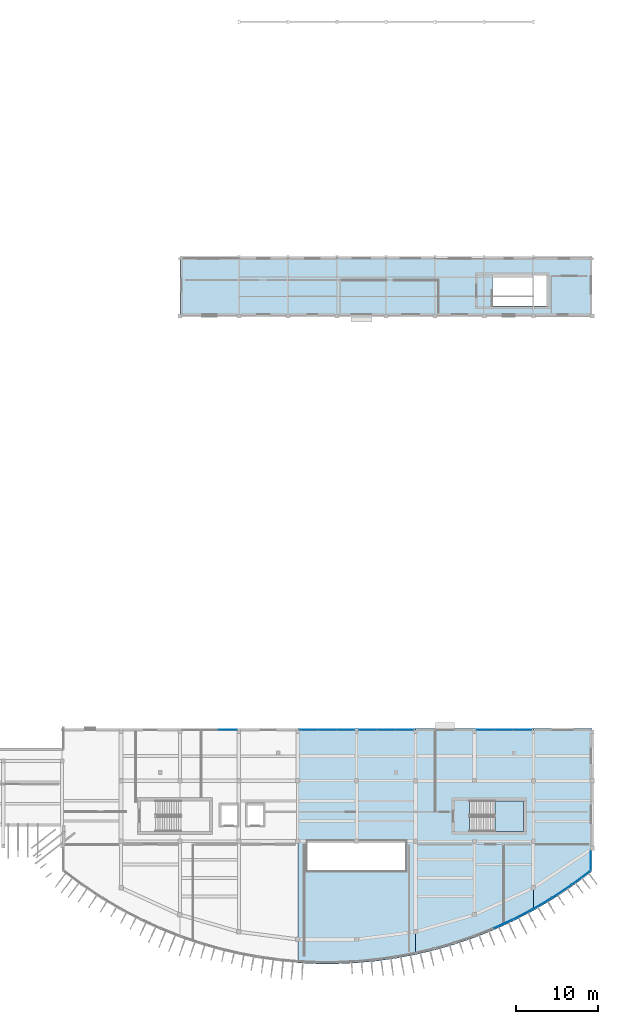
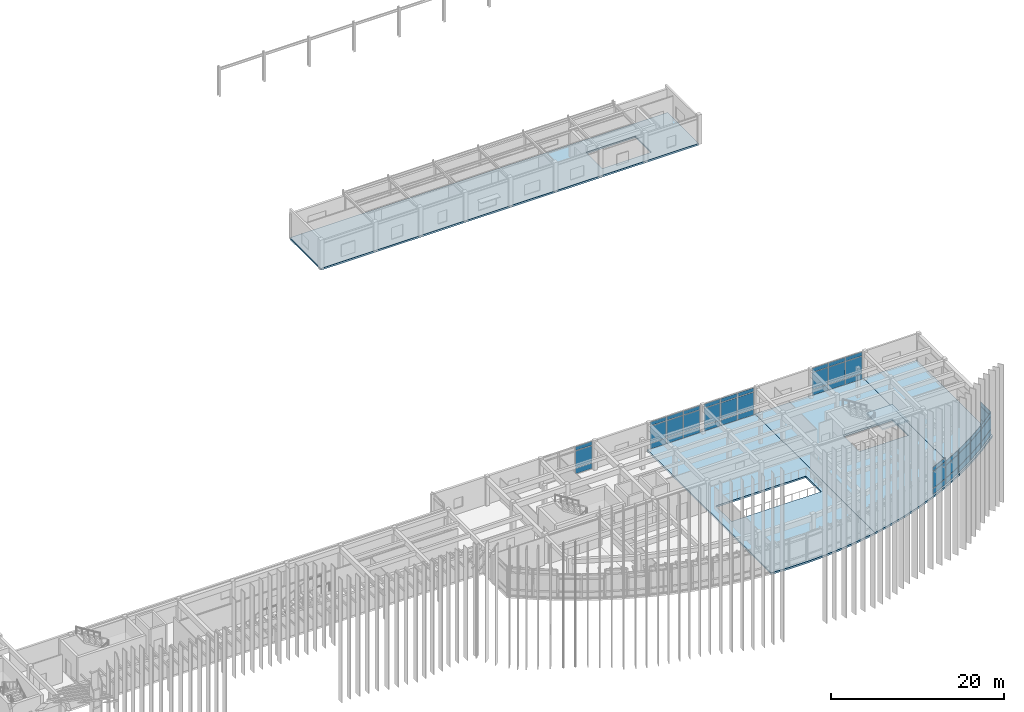
# One storey, part 28 of 47: 48 plates, 5 slabs, 11 elements without a shape of their own.
"""IFC4 building model written with IfcOpenShell, lengths in metres."""

import ifcopenshell
import ifcopenshell.guid

model = None  # the IFC model being written
_history = None  # IfcOwnerHistory: only IFC2X3 demands one
_inside = {}  # id of a spatial element -> (the spatial element, [elements in it])
_under = {}  # id of a project, library or spatial element -> (it, [spatial elements below it])
_declared = {}  # id of a project -> (the project, [libraries it declares])
_typed = {}  # id of a type object -> (the type object, [elements of that type])
_made_of = {}  # id of a material, layer set ... -> (it, [elements and type objects made of it])


def new_model(schema):
    """Start an empty IFC model of exactly this schema.

    Asked for "IFC4X3", IfcOpenShell would pick the latest addendum, in which some entities
    have other attributes; the version numbers below select the first issue.
    IFC2X3 requires an IfcOwnerHistory on every rooted entity: one is made here for all.
    """
    global model, _history
    if schema == "IFC4X3":
        model = ifcopenshell.file(schema_version=(4, 3, 0, 0))
    else:
        model = ifcopenshell.file(schema=schema)
    _inside.clear()
    _under.clear()
    _declared.clear()
    _typed.clear()
    _made_of.clear()
    _history = None
    if model.schema == "IFC2X3":
        org = make("IfcOrganization", Name="unknown")
        user = make(
            "IfcPersonAndOrganization",
            ThePerson=make("IfcPerson", FamilyName="unknown"),
            TheOrganization=org,
        )
        app = make(
            "IfcApplication",
            ApplicationDeveloper=org,
            Version="unknown",
            ApplicationFullName="unknown",
            ApplicationIdentifier="unknown",
        )
        _history = make(
            "IfcOwnerHistory",
            OwningUser=user,
            OwningApplication=app,
            ChangeAction="ADDED",
            CreationDate=0,
        )
    return model


def make(cls, **values):
    """One entity of the class cls with the attributes given. An attribute that is None is left unset."""
    return model.create_entity(
        cls, **{name: value for name, value in values.items() if value is not None}
    )


def rooted(cls, **values):
    """An entity with a GlobalId (a new one), such as an element, a storey or a relation."""
    return make(cls, GlobalId=ifcopenshell.guid.new(), OwnerHistory=_history, **values)


def si_unit(unit_type, name, prefix=None):
    """IfcSIUnit, for example si_unit("LENGTHUNIT", "METRE", prefix="MILLI")."""
    return make("IfcSIUnit", UnitType=unit_type, Prefix=prefix, Name=name)


def assignment(units):
    """IfcUnitAssignment: the units of a project."""
    return None if units is None else make("IfcUnitAssignment", Units=units)


def point(xyz):
    """IfcCartesianPoint."""
    return None if xyz is None else make("IfcCartesianPoint", Coordinates=xyz)


def direction(xyz):
    """IfcDirection."""
    return None if xyz is None else make("IfcDirection", DirectionRatios=xyz)


def frame(location, z_axis=None, x_axis=None):
    """IfcAxis2Placement3D, a coordinate frame: its origin and axes. An axis left out is left unset."""
    return make(
        "IfcAxis2Placement3D",
        Location=point(location),
        Axis=direction(z_axis),
        RefDirection=direction(x_axis),
    )


def frame_2d(location, x_axis=None):
    """IfcAxis2Placement2D, a coordinate frame in the plane: its origin and x axis."""
    return make(
        "IfcAxis2Placement2D", Location=point(location), RefDirection=direction(x_axis)
    )


def origin():
    """The frame at (0, 0, 0) with its axes left unset."""
    return frame((0.0, 0.0, 0.0))


def origin_2d():
    """The frame at (0, 0) in the plane with its x axis left unset."""
    return frame_2d((0.0, 0.0))


def place(relative_to, where):
    """IfcLocalPlacement: puts the frame where relative to a parent placement (None: the world)."""
    return make(
        "IfcLocalPlacement", PlacementRelTo=relative_to, RelativePlacement=where
    )


def context(
    kind, dimensions, precision=None, world=None, true_north=None, identifier=None
):
    """IfcGeometricRepresentationContext, for example the 3D "Model" context."""
    return make(
        "IfcGeometricRepresentationContext",
        ContextIdentifier=identifier,
        ContextType=kind,
        CoordinateSpaceDimension=dimensions,
        Precision=precision,
        WorldCoordinateSystem=world,
        TrueNorth=true_north,
    )


def subcontext(parent, identifier, kind, view, scale=None):
    """IfcGeometricRepresentationSubContext, for example "Body" below "Model"."""
    return make(
        "IfcGeometricRepresentationSubContext",
        ContextIdentifier=identifier,
        ContextType=kind,
        ParentContext=parent,
        TargetScale=scale,
        TargetView=view,
    )


def project(units=None, contexts=None):
    """IfcProject with its units and contexts."""
    return rooted(
        "IfcProject",
        Name="project",
        RepresentationContexts=contexts,
        UnitsInContext=assignment(units),
    )


def spatial(cls, under=None, at=None, **own):
    """A site, building, storey or space (cls), placed at a placement, below another one or the project."""
    s = rooted(cls, ObjectPlacement=at, **own)
    if under is not None:
        _under.setdefault(under.id(), (under, []))[1].append(s)
    return s


def polyline(points):
    """IfcPolyline through the points."""
    return make("IfcPolyline", Points=[point(p) for p in points])


def profile(cls, at=None, kind="AREA", **sizes):
    """A parametric profile (cls). Its sizes go by their IFC names, for example OverallWidth=200.0."""
    return make(cls, ProfileType=kind, Position=at, **sizes)


def rectangle(**sizes):
    """IfcRectangleProfileDef."""
    return profile("IfcRectangleProfileDef", **sizes)


def outline(outer, holes=None, kind="AREA"):
    """IfcArbitraryClosedProfileDef: a profile drawn as a closed curve; with holes, ...WithVoids."""
    if holes is None:
        return make("IfcArbitraryClosedProfileDef", ProfileType=kind, OuterCurve=outer)
    return make(
        "IfcArbitraryProfileDefWithVoids",
        ProfileType=kind,
        OuterCurve=outer,
        InnerCurves=holes,
    )


def extrude(swept, where, along, depth):
    """IfcExtrudedAreaSolid: the profile swept, set in the frame where, extruded along a direction by depth."""
    return make(
        "IfcExtrudedAreaSolid",
        SweptArea=swept,
        Position=where,
        ExtrudedDirection=direction(along),
        Depth=depth,
    )


def shape(context_of_items, identifier, shape_type, items):
    """IfcShapeRepresentation: the items that make up one representation, for example the "Body"."""
    return make(
        "IfcShapeRepresentation",
        ContextOfItems=context_of_items,
        RepresentationIdentifier=identifier,
        RepresentationType=shape_type,
        Items=items,
    )


def material(Name=None, Category=None):
    """IfcMaterial."""
    return make("IfcMaterial", Name=Name, Category=Category)


def layer(
    of_material, thickness, ventilated=None, Name=None, Category=None, Priority=None
):
    """IfcMaterialLayer: one layer of a wall or slab, of a material (None: an air gap)."""
    return make(
        "IfcMaterialLayer",
        Material=of_material,
        LayerThickness=thickness,
        IsVentilated=ventilated,
        Name=Name,
        Category=Category,
        Priority=Priority,
    )


def layer_set(layers, Name=None):
    """IfcMaterialLayerSet."""
    return make("IfcMaterialLayerSet", MaterialLayers=layers, LayerSetName=Name)


def made_of(thing, what):
    """Note that an element or type object is made of a material, layer set ...; save() writes the relation."""
    if what is not None:
        _made_of.setdefault(what.id(), (what, []))[1].append(thing)
    return thing


def type_object(cls, material=None, **own):
    """A type object (cls), such as IfcWallType, which elements share."""
    return made_of(rooted(cls, **own), material)


def element(
    cls,
    number,
    at=None,
    inside=None,
    cuts=None,
    type_object=None,
    material=None,
    context=None,
    identifier="Body",
    shape_type=None,
    held_by="IfcProductDefinitionShape",
    body=None,
    shapes=None,
    **own,
):
    """One element of the class cls, such as IfcWall. Its Tag is "e" and its number.

    at: its placement. inside: the storey or other place that contains it. cuts: it is an
    opening in that element (IfcRelVoidsElement). A single representation is given by context,
    identifier, shape_type and body (its items); several are given by shapes. held_by: the class
    of the entity that holds the representations. save() writes the other relations.
    """
    e = rooted(cls, Tag="e%d" % number, ObjectPlacement=at, **own)
    if body is not None:
        shapes = [shape(context, identifier, shape_type, body)]
    if shapes is not None:
        e.Representation = make(held_by, Representations=shapes)
    if inside is not None:
        _inside.setdefault(inside.id(), (inside, []))[1].append(e)
    if cuts is not None:
        rooted(
            "IfcRelVoidsElement", RelatingBuildingElement=cuts, RelatedOpeningElement=e
        )
    if type_object is not None:
        _typed.setdefault(type_object.id(), (type_object, []))[1].append(e)
    return made_of(e, material)


def aggregate(whole, parts):
    """IfcRelAggregates: a whole, such as a stair, and the parts it consists of."""
    return rooted("IfcRelAggregates", RelatingObject=whole, RelatedObjects=parts)


def save(model, path):
    """Write the relations noted so far, then the file.

    IfcRelAggregates (storeys below a building ...), IfcRelContainedInSpatialStructure (elements
    in a storey), IfcRelDefinesByType, IfcRelAssociatesMaterial and IfcRelDeclares: one each for
    every whole, place, type object, material and project.
    """
    for whole, parts in _under.values():
        aggregate(whole, parts)
    for where, things in _inside.values():
        rooted(
            "IfcRelContainedInSpatialStructure",
            RelatedElements=things,
            RelatingStructure=where,
        )
    for kind, things in _typed.values():
        rooted("IfcRelDefinesByType", RelatedObjects=things, RelatingType=kind)
    for what, things in _made_of.values():
        rooted("IfcRelAssociatesMaterial", RelatedObjects=things, RelatingMaterial=what)
    for by, libraries in _declared.values():
        rooted("IfcRelDeclares", RelatingContext=by, RelatedDefinitions=libraries)
    model.write(path)


model = new_model("IFC4")

# Units and contexts
model_context = context("Model", 3, precision=1e-05, world=origin(), true_north=direction((0.0, 1.0)))
body_context = subcontext(model_context, "Body", "Model", "MODEL_VIEW")
ifc_project = project(units=[si_unit("LENGTHUNIT", "METRE"), si_unit("AREAUNIT", "SQUARE_METRE"), si_unit("VOLUMEUNIT", "CUBIC_METRE"), si_unit("PLANEANGLEUNIT", "RADIAN"), si_unit("MASSUNIT", "GRAM", prefix="KILO")], contexts=[model_context])

# Site, building, storey
site_placement = place(None, origin())
site = spatial("IfcSite", under=ifc_project, at=site_placement, CompositionType="ELEMENT")
building_placement = place(site_placement, origin())
building = spatial("IfcBuilding", under=site, at=building_placement, Name="Brisavento Harbour Community Centre", CompositionType="ELEMENT")
storey_placement = place(building_placement, frame((0.0, 0.0, 8.699951171875)))
storey = spatial("IfcBuildingStorey", under=building, at=storey_placement, Name="L02", CompositionType="ELEMENT", Elevation=8.699951171875)

# Curtain wall, plates
ifc_material_1 = material(Name="Marine-anodised aluminium AW-6063-T6", Category="aluminium")
ifc_layer_1 = layer(ifc_material_1, 0.179931640625, Name="Marine-anodised aluminium AW-6063-T6")
ifc_layer_set_1 = layer_set([ifc_layer_1], Name="Marine-anodised aluminium AW-6063-T6")
curtain_wall_type_1 = type_object("IfcCurtainWallType", Name="CW-SYS-01", PredefinedType="USERDEFINED", material=ifc_layer_set_1)
curtain_wall_1_placement = place(storey_placement, origin())
curtain_wall_1 = element("IfcCurtainWall", 1, at=curtain_wall_1_placement, inside=storey, type_object=curtain_wall_type_1, Name="L02 V3 unitised curtain wall 141", ObjectType="UNITISED CURTAIN WALL", PredefinedType="USERDEFINED")
ifc_material_2 = material(Name="Solar-control laminated low-E glass", Category="glass")
ifc_layer_2 = layer(ifc_material_2, 0.02392578125, Name="Solar-control laminated low-E glass")
ifc_layer_set_2 = layer_set([ifc_layer_2], Name="Solar-control laminated low-E glass")
plate_type_1 = type_object("IfcPlateType", Name="CWP-GLZ-1", PredefinedType="CURTAIN_PANEL", material=ifc_layer_set_2)
plate_1_placement = place(storey_placement, frame((164.31689453125, 6.04931640625, 0.06494140625), z_axis=(0.0, 0.0, 1.0), x_axis=(-0.887026600781, -0.461718322689, 0.0)))
plate_1 = element("IfcPlate", 2, at=plate_1_placement, type_object=plate_type_1, Name="CW-01 panel 1.1", PredefinedType="CURTAIN_PANEL", context=body_context, shape_type="SweptSolid", body=[
    extrude(rectangle(XDim=2.53955078125, YDim=0.02392578125, at=origin_2d()), origin(), (0.0, 0.0, 1.0), 0.802490234375),
])
plate_2_placement = place(storey_placement, frame((164.31689453125, 6.04931640625, 0.932373046875), z_axis=(0.0, 0.0, 1.0), x_axis=(-0.887026600781, -0.461718322689, 0.0)))
plate_2 = element("IfcPlate", 3, at=plate_2_placement, type_object=plate_type_1, Name="CW-01 panel 1.2", PredefinedType="CURTAIN_PANEL", context=body_context, shape_type="SweptSolid", body=[
    extrude(rectangle(XDim=2.53955078125, YDim=0.02392578125, at=origin_2d()), origin(), (0.0, 0.0, 1.0), 1.7451171875),
])
plate_3_placement = place(storey_placement, frame((164.31689453125, 6.04931640625, 2.74267578125), z_axis=(0.0, 0.0, 1.0), x_axis=(-0.887026600781, -0.461718322689, 0.0)))
plate_3 = element("IfcPlate", 4, at=plate_3_placement, type_object=plate_type_1, Name="CW-01 panel 1.3", PredefinedType="CURTAIN_PANEL", context=body_context, shape_type="SweptSolid", body=[
    extrude(rectangle(XDim=2.53955078125, YDim=0.02392578125, at=origin_2d()), origin(), (0.0, 0.0, 1.0), 0.552490234375),
])
aggregate(curtain_wall_1, [plate_1, plate_2, plate_3])

ifc_layer_3 = layer(ifc_material_1, 0.179931640625, Name="Marine-anodised aluminium AW-6063-T6")
ifc_layer_set_3 = layer_set([ifc_layer_3], Name="Marine-anodised aluminium AW-6063-T6")
curtain_wall_type_2 = type_object("IfcCurtainWallType", Name="CW-SYS-06", PredefinedType="USERDEFINED", material=ifc_layer_set_3)
curtain_wall_2_placement = place(storey_placement, origin())
curtain_wall_2 = element("IfcCurtainWall", 5, at=curtain_wall_2_placement, inside=storey, type_object=curtain_wall_type_2, Name="L02 V3 unitised curtain wall 146", ObjectType="UNITISED CURTAIN WALL", PredefinedType="USERDEFINED")
plate_4_placement = place(storey_placement, frame((128.242431640625, 28.6201171875, 0.070068359375), z_axis=(0.0, 0.0, 1.0), x_axis=(1.0, 0.0, 0.0)))
plate_4 = element("IfcPlate", 6, at=plate_4_placement, type_object=plate_type_1, Name="CW-06 panel 3.1", PredefinedType="CURTAIN_PANEL", context=body_context, shape_type="SweptSolid", body=[
    extrude(rectangle(XDim=2.155029296875, YDim=0.02392578125, at=origin_2d()), origin(), (0.0, 0.0, 1.0), 0.794921875),
])
plate_5_placement = place(storey_placement, frame((128.242431640625, 28.6201171875, 0.93505859375), z_axis=(0.0, 0.0, 1.0), x_axis=(1.0, 0.0, 0.0)))
plate_5 = element("IfcPlate", 7, at=plate_5_placement, type_object=plate_type_1, Name="CW-06 panel 3.2", PredefinedType="CURTAIN_PANEL", context=body_context, shape_type="SweptSolid", body=[
    extrude(rectangle(XDim=2.155029296875, YDim=0.02392578125, at=origin_2d()), origin(), (0.0, 0.0, 1.0), 2.340087890625),
])
plate_6_placement = place(storey_placement, frame((128.242431640625, 28.6201171875, 3.344970703125), z_axis=(0.0, 0.0, 1.0), x_axis=(1.0, 0.0, 0.0)))
plate_6 = element("IfcPlate", 8, at=plate_6_placement, type_object=plate_type_1, Name="CW-06 panel 3.3", PredefinedType="CURTAIN_PANEL", context=body_context, shape_type="SweptSolid", body=[
    extrude(rectangle(XDim=2.155029296875, YDim=0.02392578125, at=origin_2d()), origin(), (0.0, 0.0, 1.0), 0.544921875),
])
aggregate(curtain_wall_2, [plate_4, plate_5, plate_6])

ifc_layer_4 = layer(ifc_material_1, 0.179931640625, Name="Marine-anodised aluminium AW-6063-T6")
ifc_layer_set_4 = layer_set([ifc_layer_4], Name="Marine-anodised aluminium AW-6063-T6")
curtain_wall_type_3 = type_object("IfcCurtainWallType", Name="CW-SYS-02", PredefinedType="USERDEFINED", material=ifc_layer_set_4)
curtain_wall_3_placement = place(storey_placement, origin())
curtain_wall_3 = element("IfcCurtainWall", 9, at=curtain_wall_3_placement, inside=storey, type_object=curtain_wall_type_3, Name="L02 V3 unitised curtain wall 142", ObjectType="UNITISED CURTAIN WALL", PredefinedType="USERDEFINED")
ifc_layer_5 = layer(ifc_material_2, 0.028076171875, Name="Solar-control laminated low-E glass")
ifc_layer_set_5 = layer_set([ifc_layer_5], Name="Solar-control laminated low-E glass")
plate_type_2 = type_object("IfcPlateType", Name="CWP-GLZ-2", PredefinedType="CURTAIN_PANEL", material=ifc_layer_set_5)
plate_7_placement = place(storey_placement, frame((166.70849609375, 7.376708984375, 0.070068359375), z_axis=(0.0, 0.0, 1.0), x_axis=(-0.861429947925, -0.50787640703, 0.0)))
plate_7 = element("IfcPlate", 10, at=plate_7_placement, type_object=plate_type_2, Name="CW-02 panel 1.1", PredefinedType="CURTAIN_PANEL", context=body_context, shape_type="SweptSolid", body=[
    extrude(rectangle(XDim=2.610107421875, YDim=0.028076171875, at=origin_2d()), origin(), (0.0, 0.0, 1.0), 0.794921875),
])
plate_8_placement = place(storey_placement, frame((166.70849609375, 7.376708984375, 0.93505859375), z_axis=(0.0, 0.0, 1.0), x_axis=(-0.861429947925, -0.50787640703, 0.0)))
plate_8 = element("IfcPlate", 11, at=plate_8_placement, type_object=plate_type_2, Name="CW-02 panel 1.2", PredefinedType="CURTAIN_PANEL", context=body_context, shape_type="SweptSolid", body=[
    extrude(rectangle(XDim=2.610107421875, YDim=0.028076171875, at=origin_2d()), origin(), (0.0, 0.0, 1.0), 1.739990234375),
])
plate_9_placement = place(storey_placement, frame((166.70849609375, 7.376708984375, 2.7451171875), z_axis=(0.0, 0.0, 1.0), x_axis=(-0.861429947925, -0.50787640703, 0.0)))
plate_9 = element("IfcPlate", 12, at=plate_9_placement, type_object=plate_type_2, Name="CW-02 panel 1.3", PredefinedType="CURTAIN_PANEL", context=body_context, shape_type="SweptSolid", body=[
    extrude(rectangle(XDim=2.610107421875, YDim=0.028076171875, at=origin_2d()), origin(), (0.0, 0.0, 1.0), 0.544921875),
])
aggregate(curtain_wall_3, [plate_7, plate_8, plate_9])

ifc_layer_6 = layer(ifc_material_1, 0.179931640625, Name="Marine-anodised aluminium AW-6063-T6")
ifc_layer_set_6 = layer_set([ifc_layer_6], Name="Marine-anodised aluminium AW-6063-T6")
curtain_wall_type_4 = type_object("IfcCurtainWallType", Name="CW-SYS-07", PredefinedType="USERDEFINED", material=ifc_layer_set_6)
curtain_wall_4_placement = place(storey_placement, origin())
curtain_wall_4 = element("IfcCurtainWall", 13, at=curtain_wall_4_placement, inside=storey, type_object=curtain_wall_type_4, Name="L02 V3 unitised curtain wall 147", ObjectType="UNITISED CURTAIN WALL", PredefinedType="USERDEFINED")
plate_10_placement = place(storey_placement, frame((138.15869140625, 28.6201171875, 0.074951171875), z_axis=(0.0, 0.0, 1.0), x_axis=(1.0, 0.0, 0.0)))
plate_10 = element("IfcPlate", 14, at=plate_10_placement, type_object=plate_type_2, Name="CW-07 panel 1.1", PredefinedType="CURTAIN_PANEL", context=body_context, shape_type="SweptSolid", body=[
    extrude(rectangle(XDim=2.1474609375, YDim=0.028076171875, at=origin_2d()), origin(), (0.0, 0.0, 1.0), 0.78759765625),
])
plate_11_placement = place(storey_placement, frame((138.15869140625, 28.6201171875, 0.9375), z_axis=(0.0, 0.0, 1.0), x_axis=(1.0, 0.0, 0.0)))
plate_11 = element("IfcPlate", 15, at=plate_11_placement, type_object=plate_type_2, Name="CW-07 panel 1.2", PredefinedType="CURTAIN_PANEL", context=body_context, shape_type="SweptSolid", body=[
    extrude(rectangle(XDim=2.1474609375, YDim=0.028076171875, at=origin_2d()), origin(), (0.0, 0.0, 1.0), 2.3349609375),
])
plate_12_placement = place(storey_placement, frame((138.15869140625, 28.6201171875, 3.347412109375), z_axis=(0.0, 0.0, 1.0), x_axis=(1.0, 0.0, 0.0)))
plate_12 = element("IfcPlate", 16, at=plate_12_placement, type_object=plate_type_2, Name="CW-07 panel 1.3", PredefinedType="CURTAIN_PANEL", context=body_context, shape_type="SweptSolid", body=[
    extrude(rectangle(XDim=2.1474609375, YDim=0.028076171875, at=origin_2d()), origin(), (0.0, 0.0, 1.0), 0.53759765625),
])
plate_13_placement = place(storey_placement, frame((140.39990234375, 28.6201171875, 0.074951171875), z_axis=(0.0, 0.0, 1.0), x_axis=(1.0, 0.0, 0.0)))
plate_13 = element("IfcPlate", 17, at=plate_13_placement, type_object=plate_type_2, Name="CW-07 panel 2.1", PredefinedType="CURTAIN_PANEL", context=body_context, shape_type="SweptSolid", body=[
    extrude(rectangle(XDim=2.18505859375, YDim=0.028076171875, at=origin_2d()), origin(), (0.0, 0.0, 1.0), 0.78759765625),
])
plate_14_placement = place(storey_placement, frame((140.39990234375, 28.6201171875, 0.9375), z_axis=(0.0, 0.0, 1.0), x_axis=(1.0, 0.0, 0.0)))
plate_14 = element("IfcPlate", 18, at=plate_14_placement, type_object=plate_type_2, Name="CW-07 panel 2.2", PredefinedType="CURTAIN_PANEL", context=body_context, shape_type="SweptSolid", body=[
    extrude(rectangle(XDim=2.18505859375, YDim=0.028076171875, at=origin_2d()), origin(), (0.0, 0.0, 1.0), 2.3349609375),
])
plate_15_placement = place(storey_placement, frame((140.39990234375, 28.6201171875, 3.347412109375), z_axis=(0.0, 0.0, 1.0), x_axis=(1.0, 0.0, 0.0)))
plate_15 = element("IfcPlate", 19, at=plate_15_placement, type_object=plate_type_2, Name="CW-07 panel 2.3", PredefinedType="CURTAIN_PANEL", context=body_context, shape_type="SweptSolid", body=[
    extrude(rectangle(XDim=2.18505859375, YDim=0.028076171875, at=origin_2d()), origin(), (0.0, 0.0, 1.0), 0.53759765625),
])
plate_16_placement = place(storey_placement, frame((142.641357421875, 28.6201171875, 0.074951171875), z_axis=(0.0, 0.0, 1.0), x_axis=(1.0, 0.0, 0.0)))
plate_16 = element("IfcPlate", 20, at=plate_16_placement, type_object=plate_type_2, Name="CW-07 panel 3.1", PredefinedType="CURTAIN_PANEL", context=body_context, shape_type="SweptSolid", body=[
    extrude(rectangle(XDim=2.1474609375, YDim=0.028076171875, at=origin_2d()), origin(), (0.0, 0.0, 1.0), 0.78759765625),
])
plate_17_placement = place(storey_placement, frame((142.641357421875, 28.6201171875, 0.9375), z_axis=(0.0, 0.0, 1.0), x_axis=(1.0, 0.0, 0.0)))
plate_17 = element("IfcPlate", 21, at=plate_17_placement, type_object=plate_type_2, Name="CW-07 panel 3.2", PredefinedType="CURTAIN_PANEL", context=body_context, shape_type="SweptSolid", body=[
    extrude(rectangle(XDim=2.1474609375, YDim=0.028076171875, at=origin_2d()), origin(), (0.0, 0.0, 1.0), 2.3349609375),
])
plate_18_placement = place(storey_placement, frame((142.641357421875, 28.6201171875, 3.347412109375), z_axis=(0.0, 0.0, 1.0), x_axis=(1.0, 0.0, 0.0)))
plate_18 = element("IfcPlate", 22, at=plate_18_placement, type_object=plate_type_2, Name="CW-07 panel 3.3", PredefinedType="CURTAIN_PANEL", context=body_context, shape_type="SweptSolid", body=[
    extrude(rectangle(XDim=2.1474609375, YDim=0.028076171875, at=origin_2d()), origin(), (0.0, 0.0, 1.0), 0.53759765625),
])
aggregate(curtain_wall_4, [plate_10, plate_11, plate_12, plate_13, plate_14, plate_15, plate_16, plate_17, plate_18])

ifc_layer_7 = layer(ifc_material_1, 0.179931640625, Name="Marine-anodised aluminium AW-6063-T6")
ifc_layer_set_7 = layer_set([ifc_layer_7], Name="Marine-anodised aluminium AW-6063-T6")
curtain_wall_type_5 = type_object("IfcCurtainWallType", Name="CW-SYS-03", PredefinedType="USERDEFINED", material=ifc_layer_set_7)
curtain_wall_5_placement = place(storey_placement, origin())
curtain_wall_5 = element("IfcCurtainWall", 23, at=curtain_wall_5_placement, inside=storey, type_object=curtain_wall_type_5, Name="L02 V3 unitised curtain wall 143", ObjectType="UNITISED CURTAIN WALL", PredefinedType="USERDEFINED")
ifc_layer_8 = layer(ifc_material_2, 0.031982421875, Name="Solar-control laminated low-E glass")
ifc_layer_set_8 = layer_set([ifc_layer_8], Name="Solar-control laminated low-E glass")
plate_type_3 = type_object("IfcPlateType", Name="CWP-GLZ-3", PredefinedType="CURTAIN_PANEL", material=ifc_layer_set_8)
plate_19_placement = place(storey_placement, frame((169.100341796875, 8.877685546875, 0.074951171875), z_axis=(0.0, 0.0, 1.0), x_axis=(-0.832471558705, -0.554067779199, 0.0)))
plate_19 = element("IfcPlate", 24, at=plate_19_placement, type_object=plate_type_3, Name="CW-03 panel 1.1", PredefinedType="CURTAIN_PANEL", context=body_context, shape_type="SweptSolid", body=[
    extrude(rectangle(XDim=2.697021484375, YDim=0.031982421875, at=origin_2d()), origin(), (0.0, 0.0, 1.0), 0.78759765625),
])
plate_20_placement = place(storey_placement, frame((169.100341796875, 8.877685546875, 0.9375), z_axis=(0.0, 0.0, 1.0), x_axis=(-0.832471558705, -0.554067779199, 0.0)))
plate_20 = element("IfcPlate", 25, at=plate_20_placement, type_object=plate_type_3, Name="CW-03 panel 1.2", PredefinedType="CURTAIN_PANEL", context=body_context, shape_type="SweptSolid", body=[
    extrude(rectangle(XDim=2.697021484375, YDim=0.031982421875, at=origin_2d()), origin(), (0.0, 0.0, 1.0), 1.735107421875),
])
plate_21_placement = place(storey_placement, frame((169.100341796875, 8.877685546875, 2.74755859375), z_axis=(0.0, 0.0, 1.0), x_axis=(-0.832471558705, -0.554067779199, 0.0)))
plate_21 = element("IfcPlate", 26, at=plate_21_placement, type_object=plate_type_3, Name="CW-03 panel 1.3", PredefinedType="CURTAIN_PANEL", context=body_context, shape_type="SweptSolid", body=[
    extrude(rectangle(XDim=2.697021484375, YDim=0.031982421875, at=origin_2d()), origin(), (0.0, 0.0, 1.0), 0.53759765625),
])
aggregate(curtain_wall_5, [plate_19, plate_20, plate_21])

ifc_layer_9 = layer(ifc_material_1, 0.179931640625, Name="Marine-anodised aluminium AW-6063-T6")
ifc_layer_set_9 = layer_set([ifc_layer_9], Name="Marine-anodised aluminium AW-6063-T6")
curtain_wall_type_6 = type_object("IfcCurtainWallType", Name="CW-SYS-08", PredefinedType="USERDEFINED", material=ifc_layer_set_9)
curtain_wall_6_placement = place(storey_placement, origin())
curtain_wall_6 = element("IfcCurtainWall", 27, at=curtain_wall_6_placement, inside=storey, type_object=curtain_wall_type_6, Name="L02 V3 unitised curtain wall 148", ObjectType="UNITISED CURTAIN WALL", PredefinedType="USERDEFINED")
plate_22_placement = place(storey_placement, frame((145.360107421875, 28.6201171875, 0.080078125), z_axis=(0.0, 0.0, 1.0), x_axis=(1.0, 0.0, 0.0)))
plate_22 = element("IfcPlate", 28, at=plate_22_placement, type_object=plate_type_3, Name="CW-08 panel 1.1", PredefinedType="CURTAIN_PANEL", context=body_context, shape_type="SweptSolid", body=[
    extrude(rectangle(XDim=2.139892578125, YDim=0.031982421875, at=origin_2d()), origin(), (0.0, 0.0, 1.0), 0.780029296875),
])
plate_23_placement = place(storey_placement, frame((145.360107421875, 28.6201171875, 0.93994140625), z_axis=(0.0, 0.0, 1.0), x_axis=(1.0, 0.0, 0.0)))
plate_23 = element("IfcPlate", 29, at=plate_23_placement, type_object=plate_type_3, Name="CW-08 panel 1.2", PredefinedType="CURTAIN_PANEL", context=body_context, shape_type="SweptSolid", body=[
    extrude(rectangle(XDim=2.139892578125, YDim=0.031982421875, at=origin_2d()), origin(), (0.0, 0.0, 1.0), 2.330078125),
])
plate_24_placement = place(storey_placement, frame((145.360107421875, 28.6201171875, 3.35009765625), z_axis=(0.0, 0.0, 1.0), x_axis=(1.0, 0.0, 0.0)))
plate_24 = element("IfcPlate", 30, at=plate_24_placement, type_object=plate_type_3, Name="CW-08 panel 1.3", PredefinedType="CURTAIN_PANEL", context=body_context, shape_type="SweptSolid", body=[
    extrude(rectangle(XDim=2.139892578125, YDim=0.031982421875, at=origin_2d()), origin(), (0.0, 0.0, 1.0), 0.530029296875),
])
plate_25_placement = place(storey_placement, frame((147.60009765625, 28.6201171875, 0.080078125), z_axis=(0.0, 0.0, 1.0), x_axis=(1.0, 0.0, 0.0)))
plate_25 = element("IfcPlate", 31, at=plate_25_placement, type_object=plate_type_3, Name="CW-08 panel 2.1", PredefinedType="CURTAIN_PANEL", context=body_context, shape_type="SweptSolid", body=[
    extrude(rectangle(XDim=2.179931640625, YDim=0.031982421875, at=origin_2d()), origin(), (0.0, 0.0, 1.0), 0.780029296875),
])
plate_26_placement = place(storey_placement, frame((147.60009765625, 28.6201171875, 0.93994140625), z_axis=(0.0, 0.0, 1.0), x_axis=(1.0, 0.0, 0.0)))
plate_26 = element("IfcPlate", 32, at=plate_26_placement, type_object=plate_type_3, Name="CW-08 panel 2.2", PredefinedType="CURTAIN_PANEL", context=body_context, shape_type="SweptSolid", body=[
    extrude(rectangle(XDim=2.179931640625, YDim=0.031982421875, at=origin_2d()), origin(), (0.0, 0.0, 1.0), 2.330078125),
])
plate_27_placement = place(storey_placement, frame((147.60009765625, 28.6201171875, 3.35009765625), z_axis=(0.0, 0.0, 1.0), x_axis=(1.0, 0.0, 0.0)))
plate_27 = element("IfcPlate", 33, at=plate_27_placement, type_object=plate_type_3, Name="CW-08 panel 2.3", PredefinedType="CURTAIN_PANEL", context=body_context, shape_type="SweptSolid", body=[
    extrude(rectangle(XDim=2.179931640625, YDim=0.031982421875, at=origin_2d()), origin(), (0.0, 0.0, 1.0), 0.530029296875),
])
plate_28_placement = place(storey_placement, frame((149.840087890625, 28.6201171875, 0.080078125), z_axis=(0.0, 0.0, 1.0), x_axis=(1.0, 0.0, 0.0)))
plate_28 = element("IfcPlate", 34, at=plate_28_placement, type_object=plate_type_3, Name="CW-08 panel 3.1", PredefinedType="CURTAIN_PANEL", context=body_context, shape_type="SweptSolid", body=[
    extrude(rectangle(XDim=2.139892578125, YDim=0.031982421875, at=origin_2d()), origin(), (0.0, 0.0, 1.0), 0.780029296875),
])
plate_29_placement = place(storey_placement, frame((149.840087890625, 28.6201171875, 0.93994140625), z_axis=(0.0, 0.0, 1.0), x_axis=(1.0, 0.0, 0.0)))
plate_29 = element("IfcPlate", 35, at=plate_29_placement, type_object=plate_type_3, Name="CW-08 panel 3.2", PredefinedType="CURTAIN_PANEL", context=body_context, shape_type="SweptSolid", body=[
    extrude(rectangle(XDim=2.139892578125, YDim=0.031982421875, at=origin_2d()), origin(), (0.0, 0.0, 1.0), 2.330078125),
])
plate_30_placement = place(storey_placement, frame((149.840087890625, 28.6201171875, 3.35009765625), z_axis=(0.0, 0.0, 1.0), x_axis=(1.0, 0.0, 0.0)))
plate_30 = element("IfcPlate", 36, at=plate_30_placement, type_object=plate_type_3, Name="CW-08 panel 3.3", PredefinedType="CURTAIN_PANEL", context=body_context, shape_type="SweptSolid", body=[
    extrude(rectangle(XDim=2.139892578125, YDim=0.031982421875, at=origin_2d()), origin(), (0.0, 0.0, 1.0), 0.530029296875),
])
aggregate(curtain_wall_6, [plate_22, plate_23, plate_24, plate_25, plate_26, plate_27, plate_28, plate_29, plate_30])

ifc_layer_10 = layer(ifc_material_1, 0.179931640625, Name="Marine-anodised aluminium AW-6063-T6")
ifc_layer_set_10 = layer_set([ifc_layer_10], Name="Marine-anodised aluminium AW-6063-T6")
curtain_wall_type_7 = type_object("IfcCurtainWallType", Name="CW-SYS-04", PredefinedType="USERDEFINED", material=ifc_layer_set_10)
curtain_wall_7_placement = place(storey_placement, origin())
curtain_wall_7 = element("IfcCurtainWall", 37, at=curtain_wall_7_placement, inside=storey, type_object=curtain_wall_type_7, Name="L02 V3 unitised curtain wall 144", ObjectType="UNITISED CURTAIN WALL", PredefinedType="USERDEFINED")
ifc_layer_11 = layer(ifc_material_2, 0.035888671875, Name="Solar-control laminated low-E glass")
ifc_layer_set_11 = layer_set([ifc_layer_11], Name="Solar-control laminated low-E glass")
plate_type_4 = type_object("IfcPlateType", Name="CWP-GLZ-4", PredefinedType="CURTAIN_PANEL", material=ifc_layer_set_11)
plate_31_placement = place(storey_placement, frame((171.491943359375, 10.571044921875, 0.080078125), z_axis=(0.0, 0.0, 1.0), x_axis=(-0.79980567328, -0.600259014917, 0.0)))
plate_31 = element("IfcPlate", 38, at=plate_31_placement, type_object=plate_type_4, Name="CW-04 panel 1.1", PredefinedType="CURTAIN_PANEL", context=body_context, shape_type="SweptSolid", body=[
    extrude(rectangle(XDim=2.8046875, YDim=0.035888671875, at=origin_2d()), origin(), (0.0, 0.0, 1.0), 0.780029296875),
])
plate_32_placement = place(storey_placement, frame((171.491943359375, 10.571044921875, 0.93994140625), z_axis=(0.0, 0.0, 1.0), x_axis=(-0.79980567328, -0.600259014917, 0.0)))
plate_32 = element("IfcPlate", 39, at=plate_32_placement, type_object=plate_type_4, Name="CW-04 panel 1.2", PredefinedType="CURTAIN_PANEL", context=body_context, shape_type="SweptSolid", body=[
    extrude(rectangle(XDim=2.8046875, YDim=0.035888671875, at=origin_2d()), origin(), (0.0, 0.0, 1.0), 1.72998046875),
])
plate_33_placement = place(storey_placement, frame((171.491943359375, 10.571044921875, 2.75), z_axis=(0.0, 0.0, 1.0), x_axis=(-0.79980567328, -0.600259014917, 0.0)))
plate_33 = element("IfcPlate", 40, at=plate_33_placement, type_object=plate_type_4, Name="CW-04 panel 1.3", PredefinedType="CURTAIN_PANEL", context=body_context, shape_type="SweptSolid", body=[
    extrude(rectangle(XDim=2.8046875, YDim=0.035888671875, at=origin_2d()), origin(), (0.0, 0.0, 1.0), 0.530029296875),
])
aggregate(curtain_wall_7, [plate_31, plate_32, plate_33])

ifc_layer_12 = layer(ifc_material_1, 0.179931640625, Name="Marine-anodised aluminium AW-6063-T6")
ifc_layer_set_12 = layer_set([ifc_layer_12], Name="Marine-anodised aluminium AW-6063-T6")
curtain_wall_type_8 = type_object("IfcCurtainWallType", Name="CW-SYS-09", PredefinedType="USERDEFINED", material=ifc_layer_set_12)
curtain_wall_8_placement = place(storey_placement, origin())
curtain_wall_8 = element("IfcCurtainWall", 41, at=curtain_wall_8_placement, inside=storey, type_object=curtain_wall_type_8, Name="L02 V3 unitised curtain wall 149", ObjectType="UNITISED CURTAIN WALL", PredefinedType="USERDEFINED")
plate_34_placement = place(storey_placement, frame((159.75634765625, 28.6201171875, 0.06494140625), z_axis=(0.0, 0.0, 1.0), x_axis=(1.0, 0.0, 0.0)))
plate_34 = element("IfcPlate", 42, at=plate_34_placement, type_object=plate_type_4, Name="CW-09 panel 1.1", PredefinedType="CURTAIN_PANEL", context=body_context, shape_type="SweptSolid", body=[
    extrude(rectangle(XDim=2.16259765625, YDim=0.035888671875, at=origin_2d()), origin(), (0.0, 0.0, 1.0), 0.802490234375),
])
plate_35_placement = place(storey_placement, frame((159.75634765625, 28.6201171875, 0.9326171875), z_axis=(0.0, 0.0, 1.0), x_axis=(1.0, 0.0, 0.0)))
plate_35 = element("IfcPlate", 43, at=plate_35_placement, type_object=plate_type_4, Name="CW-09 panel 1.2", PredefinedType="CURTAIN_PANEL", context=body_context, shape_type="SweptSolid", body=[
    extrude(rectangle(XDim=2.16259765625, YDim=0.035888671875, at=origin_2d()), origin(), (0.0, 0.0, 1.0), 2.344970703125),
])
plate_36_placement = place(storey_placement, frame((159.75634765625, 28.6201171875, 3.3427734375), z_axis=(0.0, 0.0, 1.0), x_axis=(1.0, 0.0, 0.0)))
plate_36 = element("IfcPlate", 44, at=plate_36_placement, type_object=plate_type_4, Name="CW-09 panel 1.3", PredefinedType="CURTAIN_PANEL", context=body_context, shape_type="SweptSolid", body=[
    extrude(rectangle(XDim=2.16259765625, YDim=0.035888671875, at=origin_2d()), origin(), (0.0, 0.0, 1.0), 0.552490234375),
])
plate_37_placement = place(storey_placement, frame((162.0, 28.6201171875, 0.06494140625), z_axis=(0.0, 0.0, 1.0), x_axis=(1.0, 0.0, 0.0)))
plate_37 = element("IfcPlate", 45, at=plate_37_placement, type_object=plate_type_4, Name="CW-09 panel 2.1", PredefinedType="CURTAIN_PANEL", context=body_context, shape_type="SweptSolid", body=[
    extrude(rectangle(XDim=2.195068359375, YDim=0.035888671875, at=origin_2d()), origin(), (0.0, 0.0, 1.0), 0.802490234375),
])
plate_38_placement = place(storey_placement, frame((162.0, 28.6201171875, 0.9326171875), z_axis=(0.0, 0.0, 1.0), x_axis=(1.0, 0.0, 0.0)))
plate_38 = element("IfcPlate", 46, at=plate_38_placement, type_object=plate_type_4, Name="CW-09 panel 2.2", PredefinedType="CURTAIN_PANEL", context=body_context, shape_type="SweptSolid", body=[
    extrude(rectangle(XDim=2.195068359375, YDim=0.035888671875, at=origin_2d()), origin(), (0.0, 0.0, 1.0), 2.344970703125),
])
plate_39_placement = place(storey_placement, frame((162.0, 28.6201171875, 3.3427734375), z_axis=(0.0, 0.0, 1.0), x_axis=(1.0, 0.0, 0.0)))
plate_39 = element("IfcPlate", 47, at=plate_39_placement, type_object=plate_type_4, Name="CW-09 panel 2.3", PredefinedType="CURTAIN_PANEL", context=body_context, shape_type="SweptSolid", body=[
    extrude(rectangle(XDim=2.195068359375, YDim=0.035888671875, at=origin_2d()), origin(), (0.0, 0.0, 1.0), 0.552490234375),
])
plate_40_placement = place(storey_placement, frame((164.24365234375, 28.6201171875, 0.06494140625), z_axis=(0.0, 0.0, 1.0), x_axis=(1.0, 0.0, 0.0)))
plate_40 = element("IfcPlate", 48, at=plate_40_placement, type_object=plate_type_4, Name="CW-09 panel 3.1", PredefinedType="CURTAIN_PANEL", context=body_context, shape_type="SweptSolid", body=[
    extrude(rectangle(XDim=2.16259765625, YDim=0.035888671875, at=origin_2d()), origin(), (0.0, 0.0, 1.0), 0.802490234375),
])
plate_41_placement = place(storey_placement, frame((164.24365234375, 28.6201171875, 0.9326171875), z_axis=(0.0, 0.0, 1.0), x_axis=(1.0, 0.0, 0.0)))
plate_41 = element("IfcPlate", 49, at=plate_41_placement, type_object=plate_type_4, Name="CW-09 panel 3.2", PredefinedType="CURTAIN_PANEL", context=body_context, shape_type="SweptSolid", body=[
    extrude(rectangle(XDim=2.16259765625, YDim=0.035888671875, at=origin_2d()), origin(), (0.0, 0.0, 1.0), 2.344970703125),
])
plate_42_placement = place(storey_placement, frame((164.24365234375, 28.6201171875, 3.3427734375), z_axis=(0.0, 0.0, 1.0), x_axis=(1.0, 0.0, 0.0)))
plate_42 = element("IfcPlate", 50, at=plate_42_placement, type_object=plate_type_4, Name="CW-09 panel 3.3", PredefinedType="CURTAIN_PANEL", context=body_context, shape_type="SweptSolid", body=[
    extrude(rectangle(XDim=2.16259765625, YDim=0.035888671875, at=origin_2d()), origin(), (0.0, 0.0, 1.0), 0.552490234375),
])
aggregate(curtain_wall_8, [plate_34, plate_35, plate_36, plate_37, plate_38, plate_39, plate_40, plate_41, plate_42])

ifc_layer_13 = layer(ifc_material_1, 0.179931640625, Name="Marine-anodised aluminium AW-6063-T6")
ifc_layer_set_13 = layer_set([ifc_layer_13], Name="Marine-anodised aluminium AW-6063-T6")
curtain_wall_type_9 = type_object("IfcCurtainWallType", Name="CW-SYS-28", PredefinedType="USERDEFINED", material=ifc_layer_set_13)
curtain_wall_9_placement = place(storey_placement, origin())
curtain_wall_9 = element("IfcCurtainWall", 51, at=curtain_wall_9_placement, inside=storey, type_object=curtain_wall_type_9, Name="L02 V3 unitised curtain wall 140", ObjectType="UNITISED CURTAIN WALL", PredefinedType="USERDEFINED")
ifc_layer_14 = layer(ifc_material_2, 0.0400390625, Name="Solar-control laminated low-E glass")
ifc_layer_set_14 = layer_set([ifc_layer_14], Name="Solar-control laminated low-E glass")
plate_type_5 = type_object("IfcPlateType", Name="CWP-GLZ-5", PredefinedType="CURTAIN_PANEL", material=ifc_layer_set_14)
plate_43_placement = place(storey_placement, frame((161.92529296875, 4.880615234375, 0.080078125), z_axis=(0.0, 0.0, 1.0), x_axis=(-0.909597727846, -0.415490040189, 0.0)))
plate_43 = element("IfcPlate", 52, at=plate_43_placement, type_object=plate_type_5, Name="CW-28 panel 1.1", PredefinedType="CURTAIN_PANEL", context=body_context, shape_type="SweptSolid", body=[
    extrude(rectangle(XDim=2.4423828125, YDim=0.0400390625, at=origin_2d()), origin(), (0.0, 0.0, 1.0), 0.780029296875),
])
plate_44_placement = place(storey_placement, frame((161.92529296875, 4.880615234375, 0.93994140625), z_axis=(0.0, 0.0, 1.0), x_axis=(-0.909597727846, -0.415490040189, 0.0)))
plate_44 = element("IfcPlate", 53, at=plate_44_placement, type_object=plate_type_5, Name="CW-28 panel 1.2", PredefinedType="CURTAIN_PANEL", context=body_context, shape_type="SweptSolid", body=[
    extrude(rectangle(XDim=2.4423828125, YDim=0.0400390625, at=origin_2d()), origin(), (0.0, 0.0, 1.0), 2.330078125),
])
plate_45_placement = place(storey_placement, frame((161.92529296875, 4.880615234375, 3.35009765625), z_axis=(0.0, 0.0, 1.0), x_axis=(-0.909597727846, -0.415490040189, 0.0)))
plate_45 = element("IfcPlate", 54, at=plate_45_placement, type_object=plate_type_5, Name="CW-28 panel 1.3", PredefinedType="CURTAIN_PANEL", context=body_context, shape_type="SweptSolid", body=[
    extrude(rectangle(XDim=2.4423828125, YDim=0.0400390625, at=origin_2d()), origin(), (0.0, 0.0, 1.0), 0.530029296875),
])
aggregate(curtain_wall_9, [plate_43, plate_44, plate_45])

ifc_layer_15 = layer(ifc_material_1, 0.179931640625, Name="Marine-anodised aluminium AW-6063-T6")
ifc_layer_set_15 = layer_set([ifc_layer_15], Name="Marine-anodised aluminium AW-6063-T6")
curtain_wall_type_10 = type_object("IfcCurtainWallType", Name="CW-SYS-05", PredefinedType="USERDEFINED", material=ifc_layer_set_15)
curtain_wall_10_placement = place(storey_placement, origin())
curtain_wall_10 = element("IfcCurtainWall", 55, at=curtain_wall_10_placement, inside=storey, type_object=curtain_wall_type_10, Name="L02 V3 unitised curtain wall 145", ObjectType="UNITISED CURTAIN WALL", PredefinedType="USERDEFINED")
plate_46_placement = place(storey_placement, frame((172.6201171875, 12.60693359375, 0.06494140625), z_axis=(0.0, 0.0, 1.0), x_axis=(0.0, -1.0, 0.0)))
plate_46 = element("IfcPlate", 56, at=plate_46_placement, type_object=plate_type_5, Name="CW-05 panel 1.1", PredefinedType="CURTAIN_PANEL", context=body_context, shape_type="SweptSolid", body=[
    extrude(rectangle(XDim=2.392333984375, YDim=0.0400390625, at=origin_2d()), origin(), (0.0, 0.0, 1.0), 0.802490234375),
])
plate_47_placement = place(storey_placement, frame((172.6201171875, 12.60693359375, 0.932373046875), z_axis=(0.0, 0.0, 1.0), x_axis=(0.0, -1.0, 0.0)))
plate_47 = element("IfcPlate", 57, at=plate_47_placement, type_object=plate_type_5, Name="CW-05 panel 1.2", PredefinedType="CURTAIN_PANEL", context=body_context, shape_type="SweptSolid", body=[
    extrude(rectangle(XDim=2.392333984375, YDim=0.0400390625, at=origin_2d()), origin(), (0.0, 0.0, 1.0), 1.7451171875),
])
plate_48_placement = place(storey_placement, frame((172.6201171875, 12.60693359375, 2.74267578125), z_axis=(0.0, 0.0, 1.0), x_axis=(0.0, -1.0, 0.0)))
plate_48 = element("IfcPlate", 58, at=plate_48_placement, type_object=plate_type_5, Name="CW-05 panel 1.3", PredefinedType="CURTAIN_PANEL", context=body_context, shape_type="SweptSolid", body=[
    extrude(rectangle(XDim=2.392333984375, YDim=0.0400390625, at=origin_2d()), origin(), (0.0, 0.0, 1.0), 0.552490234375),
])
aggregate(curtain_wall_10, [plate_46, plate_47, plate_48])

# Slabs
ifc_material_3 = material(Name="Concrete C35/45", Category="concrete")
ifc_layer_16 = layer(ifc_material_3, 0.25, Name="Concrete C35/45")
ifc_layer_set_16 = layer_set([ifc_layer_16], Name="Concrete C35/45")
slab_type_1 = type_object("IfcSlabType", Name="SLB-FLR-250", PredefinedType="FLOOR", material=ifc_layer_set_16)
slab_1_placement = place(storey_placement, frame((0.0, 0.0, -0.25)))
element("IfcSlab", 59, at=slab_1_placement, inside=storey, type_object=slab_type_1, Name="L02 V3 structural floor slab 038", PredefinedType="FLOOR", context=body_context, shape_type="SweptSolid", body=[
    extrude(outline(polyline([(136.800048828125, 28.800048828125), (136.800048828125, 0.124755859375), (139.199951171875, 0.013916015625), (141.60009765625, 0.013916015625), (144.0, 0.124755859375), (146.39990234375, 0.347412109375), (148.800048828125, 0.682861328125), (151.199951171875, 1.1337890625), (151.199951171875, 28.800048828125), (136.800048828125, 28.800048828125)]), holes=[polyline([(150.0, 15.0), (150.0, 11.39990234375), (138.0, 11.39990234375), (138.0, 15.0), (150.0, 15.0)])]), origin(), (0.0, 0.0, 1.0), 0.25),
])
slab_2_placement = place(storey_placement, frame((0.0, 0.0, -0.25)))
element("IfcSlab", 60, at=slab_2_placement, inside=storey, type_object=slab_type_1, Name="L02 V3 structural floor slab 039", PredefinedType="FLOOR", context=body_context, shape_type="SweptSolid", body=[
    extrude(outline(polyline([(151.199951171875, 28.800048828125), (151.199951171875, 1.1337890625), (153.60009765625, 1.703369140625), (156.0, 2.395263671875), (158.39990234375, 3.21484375), (160.800048828125, 4.168701171875), (163.199951171875, 5.264892578125), (165.60009765625, 6.51416015625), (165.60009765625, 28.800048828125), (151.199951171875, 28.800048828125)]), holes=[polyline([(164.39208984375, 16.2080078125), (157.80810546875, 16.2080078125), (157.80810546875, 19.94189453125), (164.39208984375, 19.94189453125), (164.39208984375, 16.2080078125)])]), origin(), (0.0, 0.0, 1.0), 0.25),
])
slab_3_placement = place(storey_placement, frame((0.0, 0.0, -0.25)))
element("IfcSlab", 61, at=slab_3_placement, inside=storey, type_object=slab_type_1, Name="L02 V3 structural floor slab 040", PredefinedType="FLOOR", context=body_context, shape_type="SweptSolid", body=[
    extrude(outline(polyline([(165.60009765625, 28.800048828125), (165.60009765625, 6.51416015625), (168.0, 7.92919921875), (170.39990234375, 9.526611328125), (172.800048828125, 11.32763671875), (172.800048828125, 28.800048828125), (165.60009765625, 28.800048828125)])), origin(), (0.0, 0.0, 1.0), 0.25),
])
slab_4_placement = place(storey_placement, frame((0.0, 0.0, -0.25)))
element("IfcSlab", 62, at=slab_4_placement, inside=storey, type_object=slab_type_1, Name="L02 V4 structural floor slab 041", PredefinedType="FLOOR", context=body_context, shape_type="SweptSolid", body=[
    extrude(outline(polyline([(122.39990234375, 79.199951171875), (172.800048828125, 79.199951171875), (172.800048828125, 86.39990234375), (122.39990234375, 86.39990234375), (122.39990234375, 79.199951171875)]), holes=[polyline([(160.60791015625, 80.407958984375), (160.60791015625, 84.14208984375), (167.19189453125, 84.14208984375), (167.19189453125, 80.407958984375), (160.60791015625, 80.407958984375)])]), origin(), (0.0, 0.0, 1.0), 0.25),
])

# Stair, slab
stair_type = type_object("IfcStairType", Name="STR-DL-4200", PredefinedType="HALF_TURN_STAIR", material=ifc_material_3)
stair_placement = place(storey_placement, origin())
stair = element("IfcStair", 63, at=stair_placement, inside=storey, type_object=stair_type, Name="L02 ST-05", PredefinedType="HALF_TURN_STAIR")
ifc_layer_17 = layer(ifc_material_3, 0.199951171875, Name="Concrete C35/45")
ifc_layer_set_17 = layer_set([ifc_layer_17], Name="Concrete C35/45")
slab_type_2 = type_object("IfcSlabType", Name="SLB-LND-200", PredefinedType="LANDING", material=ifc_layer_set_17)
slab_5_placement = place(storey_placement, frame((0.0, 0.0, 1.900146484375)))
slab_5 = element("IfcSlab", 64, at=slab_5_placement, type_object=slab_type_2, Name="ST-05 landing 1", PredefinedType="LANDING", context=body_context, shape_type="SweptSolid", body=[
    extrude(outline(polyline([(160.93505859375, 16.199951171875), (164.39990234375, 16.199951171875), (164.39990234375, 19.949951171875), (160.93505859375, 19.949951171875), (160.93505859375, 16.199951171875)])), origin(), (0.0, 0.0, 1.0), 0.199951171875),
])
aggregate(stair, [slab_5])

save(model, "model.ifc")
